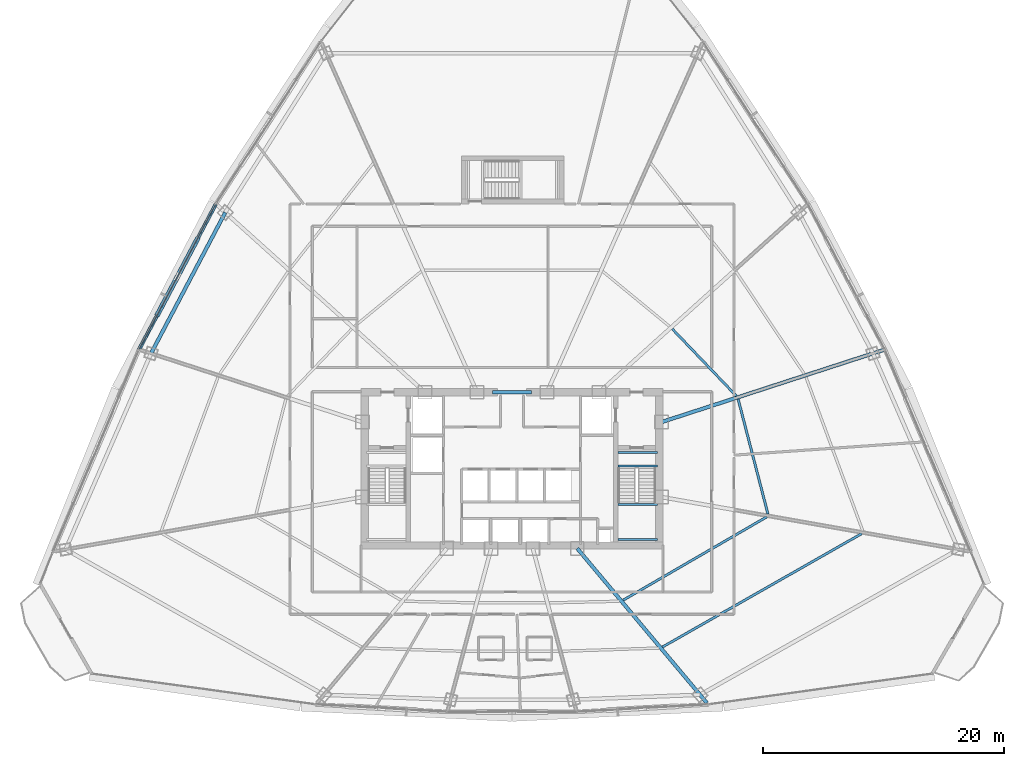
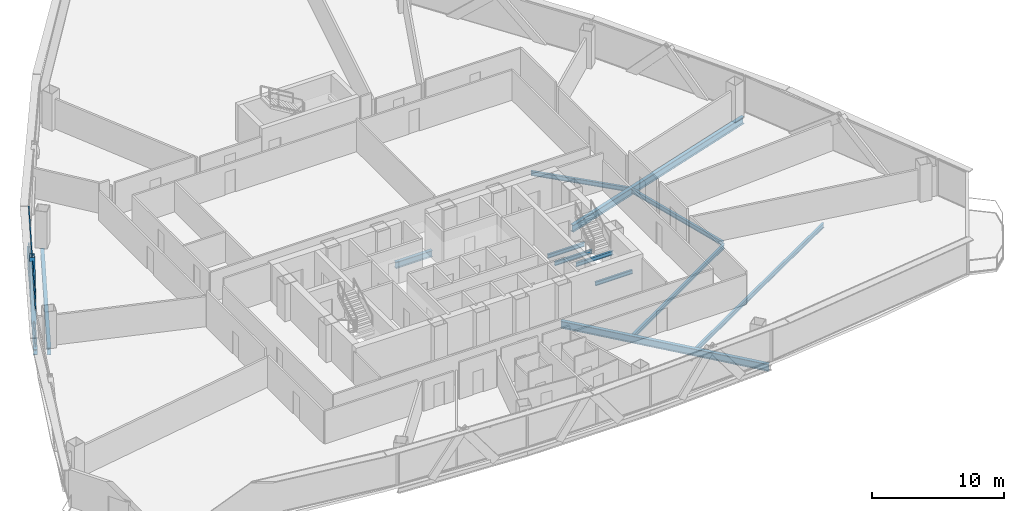
# One storey, part 15 of 39: 13 beams, 4 members, 1 element without a shape of its own.
"""IFC4 building model written with IfcOpenShell, lengths in metres."""

from ifc_helpers import new_model, si_unit, direction, frame, origin, origin_2d, place, context, subcontext, project, spatial, hollow_rectangle, i_section, extrude, source, transform, mapped, material, layer, layer_set, material_profile, profile_set, type_object, element, aggregate, save


model = new_model("IFC4")

# Units and contexts
model_context = context("Model", 3, precision=1e-05, world=origin(), true_north=direction((0.0, 1.0)))
body_context = subcontext(model_context, "Body", "Model", "MODEL_VIEW")
ifc_project = project(units=[si_unit("LENGTHUNIT", "METRE"), si_unit("AREAUNIT", "SQUARE_METRE"), si_unit("VOLUMEUNIT", "CUBIC_METRE"), si_unit("PLANEANGLEUNIT", "RADIAN"), si_unit("MASSUNIT", "GRAM", prefix="KILO"), si_unit("THERMODYNAMICTEMPERATUREUNIT", "KELVIN"), si_unit("POWERUNIT", "WATT")], contexts=[model_context])

# Site, building, storey
site_placement = place(None, origin())
site = spatial("IfcSite", under=ifc_project, at=site_placement, CompositionType="ELEMENT")
building_placement = place(site_placement, origin())
building = spatial("IfcBuilding", under=site, at=building_placement, Name="Yunzhuo Pagoda Commons", CompositionType="ELEMENT")
storey_placement = place(building_placement, frame((0.0, 0.0, 162.949951171875)))
storey = spatial("IfcBuildingStorey", under=building, at=storey_placement, Name="L41", CompositionType="ELEMENT", Elevation=162.949951171875)

# Beams
ifc_material_1 = material(Name="Structural steel Q355B", Category="steel")
ifc_material_profile_1 = material_profile(ifc_material_1, i_section(OverallWidth=0.175048828125, OverallDepth=0.35009765625, WebThickness=0.007080078125, FlangeThickness=0.010986328125, at=origin_2d()), Name="Structural steel Q355B")
ifc_profile_set_1 = profile_set([ifc_material_profile_1], Name="Structural steel Q355B")
beam_type_1 = type_object("IfcBeamType", Name="B-JS2 Joist HN 350x175x7x11", PredefinedType="JOIST", material=ifc_profile_set_1)
shared_shape_1 = source(origin(), body_context, "Body", "SweptSolid", [
    extrude(i_section(OverallWidth=0.175048828125, OverallDepth=0.35009765625, WebThickness=0.007080078125, FlangeThickness=0.010986328125, at=origin_2d()), origin(), (0.0, 0.0, 1.0), 3.25),
])
for number, where, z_axis, x_axis, name in (
    (1, (56.800048828125, 28.0, 1.465087890625), (1.0, 0.0, 0.0), (0.0, 1.0, 0.0), "L41 ST2 landing support beam 47A"),
    (2, (56.800048828125, 30.89990234375, 1.465087890625), (1.0, 0.0, 0.0), (0.0, 1.0, 0.0), "L41 ST2 landing support beam 47B"),
    (3, (56.800048828125, 34.10009765625, -0.375), (1.0, 0.0, 0.0), (0.0, 1.0, 0.0), "L41 ST2 landing support beam 145A"),
    (4, (56.800048828125, 35.199951171875, -0.375), (1.0, 0.0, 0.0), (0.0, 1.0, 0.0), "L41 ST2 landing support beam 145B"),
):
    element("IfcBeam", number, at=place(storey_placement, frame(where, z_axis=z_axis, x_axis=x_axis)), inside=storey, type_object=beam_type_1, Name=name, PredefinedType="JOIST", context=body_context, shape_type="MappedRepresentation", body=[
        mapped(shared_shape_1, transform((0.0, 0.0, 0.0), scale=1.0)),
    ])
ifc_material_2 = material(Name="Structural steel Q420B", Category="steel")
ifc_material_profile_2 = material_profile(ifc_material_2, i_section(OverallWidth=0.300048828125, OverallDepth=0.587890625, WebThickness=0.011962890625, FlangeThickness=0.02001953125, at=origin_2d()), Name="Structural steel Q420B")
ifc_profile_set_2 = profile_set([ifc_material_profile_2], Name="Structural steel Q420B")
beam_type_2 = type_object("IfcBeamType", Name="B-CPL Beam HM 588x300x12x20", PredefinedType="BEAM", material=ifc_profile_set_2)
shared_shape_2 = source(origin(), body_context, "Body", "SweptSolid", [
    extrude(i_section(OverallWidth=0.300048828125, OverallDepth=0.587890625, WebThickness=0.011962890625, FlangeThickness=0.02001953125, at=origin_2d()), origin(), (0.0, 0.0, 1.0), 3.2001953125),
])
beam_1_placement = place(storey_placement, frame((46.39990234375, 40.199951171875, -0.553955078125), z_axis=(1.0, 0.0, 0.0), x_axis=(0.0, 1.0, 0.0)))
element("IfcBeam", 5, at=beam_1_placement, inside=storey, type_object=beam_type_2, Name="L41 core coupling girder", PredefinedType="BEAM", context=body_context, shape_type="MappedRepresentation", body=[
    mapped(shared_shape_2, transform((0.0, 0.0, 0.0), scale=1.0)),
])
ifc_material_profile_3 = material_profile(ifc_material_1, i_section(OverallWidth=0.199951171875, OverallDepth=0.39990234375, WebThickness=0.008056640625, FlangeThickness=0.012939453125, at=origin_2d()), Name="Structural steel Q355B")
ifc_profile_set_3 = profile_set([ifc_material_profile_3], Name="Structural steel Q355B")
beam_type_3 = type_object("IfcBeamType", Name="B-JS1 Joist HN 400x200x8x13", PredefinedType="JOIST", material=ifc_profile_set_3)
shared_shape_3 = source(origin(), body_context, "Body", "SweptSolid", [
    extrude(i_section(OverallWidth=0.199951171875, OverallDepth=0.39990234375, WebThickness=0.008056640625, FlangeThickness=0.012939453125, at=origin_2d()), origin(), (0.0, 0.0, 1.0), 13.76416015625),
])
beam_2_placement = place(storey_placement, frame((57.2119140625, 22.96533203125, -0.4599609375), z_axis=(0.864967288101, 0.501828248025, 0.0), x_axis=(-0.501828248025, 0.864967288101, 0.0)))
element("IfcBeam", 6, at=beam_2_placement, inside=storey, type_object=beam_type_3, Name="L41 composite ring joist 1.4", PredefinedType="JOIST", context=body_context, shape_type="MappedRepresentation", body=[
    mapped(shared_shape_3, transform((0.0, 0.0, 0.0), scale=1.0)),
])
shared_shape_4 = source(origin(), body_context, "Body", "SweptSolid", [
    extrude(i_section(OverallWidth=0.199951171875, OverallDepth=0.39990234375, WebThickness=0.008056640625, FlangeThickness=0.012939453125, at=origin_2d()), origin(), (0.0, 0.0, 1.0), 19.007568359375),
])
beam_3_placement = place(storey_placement, frame((60.468017578125, 19.08447265625, -0.4599609375), z_axis=(0.869119947472, 0.494601371718, 0.0), x_axis=(-0.494601371718, 0.869119947472, 0.0)))
element("IfcBeam", 7, at=beam_3_placement, inside=storey, type_object=beam_type_3, Name="L41 composite ring joist 2.4", PredefinedType="JOIST", context=body_context, shape_type="MappedRepresentation", body=[
    mapped(shared_shape_4, transform((0.0, 0.0, 0.0), scale=1.0)),
])
shared_shape_5 = source(origin(), body_context, "Body", "SweptSolid", [
    extrude(i_section(OverallWidth=0.199951171875, OverallDepth=0.39990234375, WebThickness=0.008056640625, FlangeThickness=0.012939453125, at=origin_2d()), origin(), (0.0, 0.0, 1.0), 9.8330078125),
])
beam_4_placement = place(storey_placement, frame((69.215087890625, 30.10595703125, -0.4599609375), z_axis=(-0.251166367041, 0.967943932295, 0.0), x_axis=(-0.967943932295, -0.251166367041, 0.0)))
element("IfcBeam", 8, at=beam_4_placement, inside=storey, type_object=beam_type_3, Name="L41 composite ring joist 1.5", PredefinedType="JOIST", context=body_context, shape_type="MappedRepresentation", body=[
    mapped(shared_shape_5, transform((0.0, 0.0, 0.0), scale=1.0)),
])
ifc_material_profile_4 = material_profile(ifc_material_1, i_section(OverallWidth=0.300048828125, OverallDepth=0.64990234375, WebThickness=0.012939453125, FlangeThickness=0.02197265625, at=origin_2d()), Name="Structural steel Q355B")
ifc_profile_set_4 = profile_set([ifc_material_profile_4], Name="Structural steel Q355B")
beam_type_4 = type_object("IfcBeamType", Name="B-RG2 Beam HN 650x300x13x22", PredefinedType="BEAM", material=ifc_profile_set_4)
shared_shape_6 = source(origin(), body_context, "Body", "SweptSolid", [
    extrude(i_section(OverallWidth=0.300048828125, OverallDepth=0.64990234375, WebThickness=0.012939453125, FlangeThickness=0.02197265625, at=origin_2d()), origin(), (0.0, 0.0, 1.0), 13.198974609375),
])
beam_5_placement = place(storey_placement, frame((24.23388671875, 55.09912109375, -0.5849609375), z_axis=(-0.465885937554, -0.884844784801, 0.0), x_axis=(0.884844784801, -0.465885937554, 0.0)))
element("IfcBeam", 9, at=beam_5_placement, inside=storey, type_object=beam_type_4, Name="L41 column-ring beam 10", PredefinedType="BEAM", context=body_context, shape_type="MappedRepresentation", body=[
    mapped(shared_shape_6, transform((0.0, 0.0, 0.0), scale=1.0)),
])
shared_shape_7 = source(origin(), body_context, "Body", "SweptSolid", [
    extrude(i_section(OverallWidth=0.199951171875, OverallDepth=0.39990234375, WebThickness=0.008056640625, FlangeThickness=0.012939453125, at=origin_2d()), origin(), (0.0, 0.0, 1.0), 7.685546875),
])
beam_6_placement = place(storey_placement, frame((66.595703125, 39.892578125, -0.4599609375), z_axis=(-0.690882862648, 0.722966714378, 0.0), x_axis=(-0.722966714378, -0.690882862648, 0.0)))
element("IfcBeam", 10, at=beam_6_placement, inside=storey, type_object=beam_type_3, Name="L41 composite ring joist 1.6", PredefinedType="JOIST", context=body_context, shape_type="MappedRepresentation", body=[
    mapped(shared_shape_7, transform((0.0, 0.0, 0.0), scale=1.0)),
])
shared_shape_8 = source(origin(), body_context, "Body", "SweptSolid", [
    extrude(i_section(OverallWidth=0.300048828125, OverallDepth=0.64990234375, WebThickness=0.012939453125, FlangeThickness=0.02197265625, at=origin_2d()), origin(), (0.0, 0.0, 1.0), 16.721435546875),
])
beam_7_placement = place(storey_placement, frame((64.160400390625, 14.440673828125, -0.5849609375), z_axis=(-0.642787263979, 0.766044733202, 0.0), x_axis=(-0.766044733202, -0.642787263979, 0.0)))
element("IfcBeam", 11, at=beam_7_placement, inside=storey, type_object=beam_type_4, Name="L41 radial floor girder F1C4", PredefinedType="BEAM", context=body_context, shape_type="MappedRepresentation", body=[
    mapped(shared_shape_8, transform((0.0, 0.0, 0.0), scale=1.0)),
])
shared_shape_9 = source(origin(), body_context, "Body", "SweptSolid", [
    extrude(i_section(OverallWidth=0.300048828125, OverallDepth=0.64990234375, WebThickness=0.012939453125, FlangeThickness=0.02197265625, at=origin_2d()), origin(), (0.0, 0.0, 1.0), 19.31201171875),
])
beam_8_placement = place(storey_placement, frame((78.7666015625, 43.69677734375, -0.5849609375), z_axis=(-0.951055434175, -0.309020324777, 0.0), x_axis=(0.309020324777, -0.951055434175, 0.0)))
element("IfcBeam", 12, at=beam_8_placement, inside=storey, type_object=beam_type_4, Name="L41 radial floor girder F2C2", PredefinedType="BEAM", context=body_context, shape_type="MappedRepresentation", body=[
    mapped(shared_shape_9, transform((0.0, 0.0, 0.0), scale=1.0)),
])
ifc_material_profile_5 = material_profile(ifc_material_1, i_section(OverallWidth=0.300048828125, OverallDepth=0.488037109375, WebThickness=0.010986328125, FlangeThickness=0.01806640625, at=origin_2d()), Name="Structural steel Q355B")
ifc_profile_set_5 = profile_set([ifc_material_profile_5], Name="Structural steel Q355B")
beam_type_5 = type_object("IfcBeamType", Name="B-SP1 Beam HM 488x300x11x18", PredefinedType="BEAM", material=ifc_profile_set_5)
shared_shape_10 = source(origin(), body_context, "Body", "SweptSolid", [
    extrude(i_section(OverallWidth=0.300048828125, OverallDepth=0.488037109375, WebThickness=0.010986328125, FlangeThickness=0.01806640625, at=origin_2d()), origin(), (0.0, 0.0, 1.0), 13.63525390625),
])
beam_9_placement = place(storey_placement, frame((23.45361328125, 55.8017578125, -0.50390625), z_axis=(-0.466985007002, -0.884265233533, 0.0), x_axis=(0.884265233533, -0.466985007002, 0.0)))
element("IfcBeam", 13, at=beam_9_placement, inside=storey, type_object=beam_type_5, Name="L41 facade edge spandrel beam F3.2", PredefinedType="BEAM", context=body_context, shape_type="MappedRepresentation", body=[
    mapped(shared_shape_10, transform((0.0, 0.0, 0.0), scale=1.0)),
])

# Members
ifc_material_profile_6 = material_profile(ifc_material_1, hollow_rectangle(XDim=0.39990234375, YDim=0.719970703125, WallThickness=0.02392578125, at=origin_2d()), Name="Structural steel Q355B")
ifc_profile_set_6 = profile_set([ifc_material_profile_6], Name="Structural steel Q355B")
member_type_1 = type_object("IfcMemberType", Name="M-DL2 Brace BOX 720x400x24", PredefinedType="BRACE", material=ifc_profile_set_6)
shared_shape_11 = source(origin(), body_context, "Body", "SweptSolid", [
    extrude(hollow_rectangle(XDim=0.39990234375, YDim=0.719970703125, WallThickness=0.02392578125, at=origin_2d()), origin(), (0.0, 0.0, 1.0), 5.016357421875),
])
for number, where, z_axis, x_axis, name in (
    (14, (21.86181640625, 52.78759765625, -0.260009765625), (-0.317363122913, -0.600902082288, 0.733619339792), (0.884250862054, -0.46701221928, 0.0), "L41 facade diamond brace F3.2L"),
    (15, (18.67822265625, 46.7587890625, -0.260009765625), (0.317275586725, 0.600920642629, 0.733641999432), (-0.884310007967, 0.466900213974, 0.0), "L41 facade diamond brace F3.2R"),
):
    element("IfcMember", number, at=place(storey_placement, frame(where, z_axis=z_axis, x_axis=x_axis)), inside=storey, type_object=member_type_1, Name=name, PredefinedType="BRACE", context=body_context, shape_type="MappedRepresentation", body=[
        mapped(shared_shape_11, transform((0.0, 0.0, 0.0), scale=1.0)),
    ])

# Curtain wall, members
ifc_material_3 = material(Name="Anodized aluminium 6063-T6", Category="aluminium")
ifc_layer = layer(ifc_material_3, 0.14990234375)
ifc_layer_set = layer_set([ifc_layer], Name="Anodized aluminium 6063-T6")
curtain_wall_type = type_object("IfcCurtainWallType", Name="CW-MID Mid-Zone Ribbon Curtain Wall", PredefinedType="NOTDEFINED", material=ifc_layer_set)
curtain_wall_placement = place(storey_placement, origin())
curtain_wall = element("IfcCurtainWall", 16, at=curtain_wall_placement, inside=storey, type_object=curtain_wall_type, Name="L41 curtain wall CW-L41-F3B3", PredefinedType="NOTDEFINED")
ifc_material_profile_7 = material_profile(ifc_material_3, hollow_rectangle(XDim=0.054931640625, YDim=0.1298828125, WallThickness=0.00341796875, at=origin_2d()), Name="Anodized aluminium 6063-T6")
ifc_profile_set_7 = profile_set([ifc_material_profile_7], Name="Anodized aluminium 6063-T6")
member_type_2 = type_object("IfcMemberType", Name="CW-MID-T Transom RHS 130x55x3.5", PredefinedType="USERDEFINED", material=ifc_profile_set_7)
shared_shape_12 = source(origin(), body_context, "Body", "SweptSolid", [
    extrude(hollow_rectangle(XDim=0.054931640625, YDim=0.1298828125, WallThickness=0.00341796875, at=origin_2d()), origin(), (0.0, 0.0, 1.0), 13.51513671875),
])
member_1_placement = place(storey_placement, frame((23.425537109375, 55.74853515625, 0.027587890625), z_axis=(-0.466995257816, -0.88425981995, 0.0), x_axis=(0.88425981995, -0.466995257816, 0.0)))
member_1 = element("IfcMember", 17, at=member_1_placement, type_object=member_type_2, Name="CW transom 1.1", ObjectType="TRANSOM", PredefinedType="USERDEFINED", context=body_context, shape_type="MappedRepresentation", body=[
    mapped(shared_shape_12, transform((0.0, 0.0, 0.0), scale=1.0)),
])
member_2_placement = place(storey_placement, frame((23.425537109375, 55.74853515625, 3.392578125), z_axis=(-0.466995257816, -0.88425981995, 0.0), x_axis=(0.88425981995, -0.466995257816, 0.0)))
member_2 = element("IfcMember", 18, at=member_2_placement, type_object=member_type_2, Name="CW transom 1.2", ObjectType="TRANSOM", PredefinedType="USERDEFINED", context=body_context, shape_type="MappedRepresentation", body=[
    mapped(shared_shape_12, transform((0.0, 0.0, 0.0), scale=1.0)),
])
aggregate(curtain_wall, [member_1, member_2])

save(model, "model.ifc")
